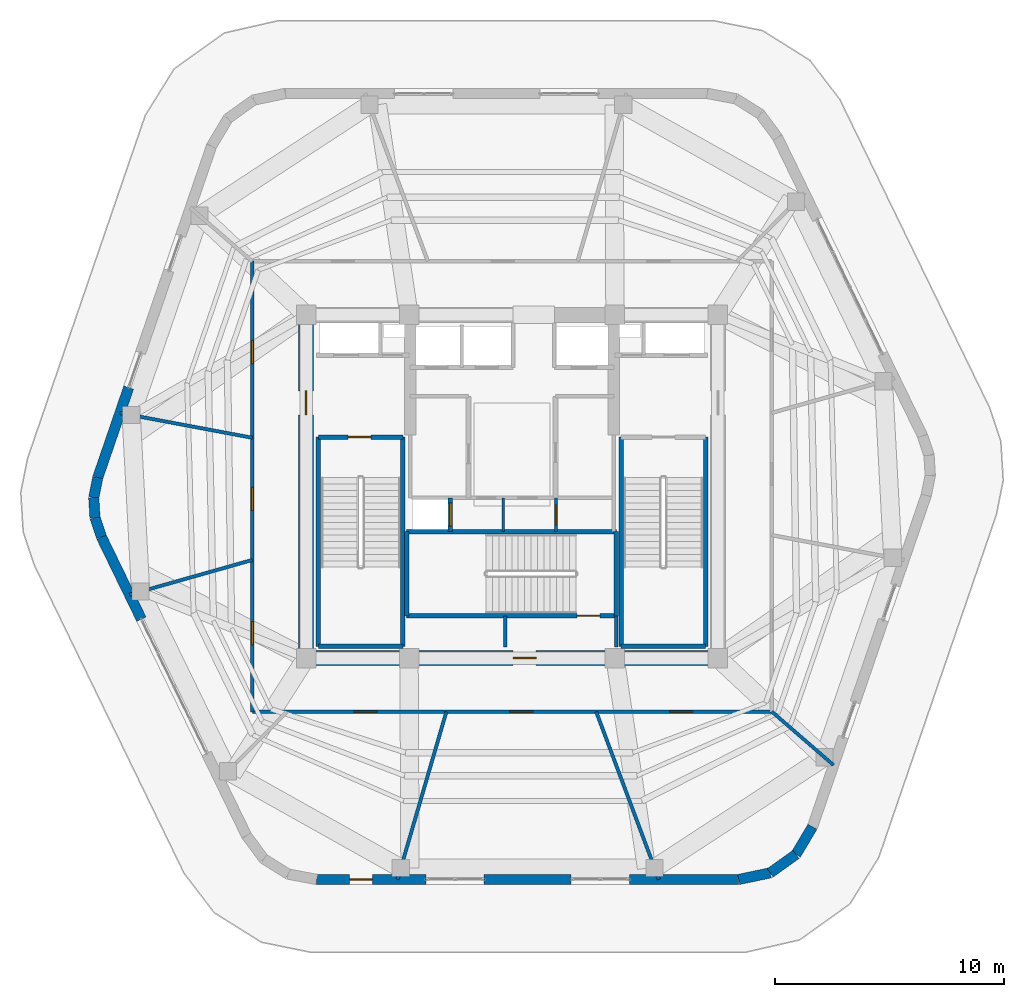
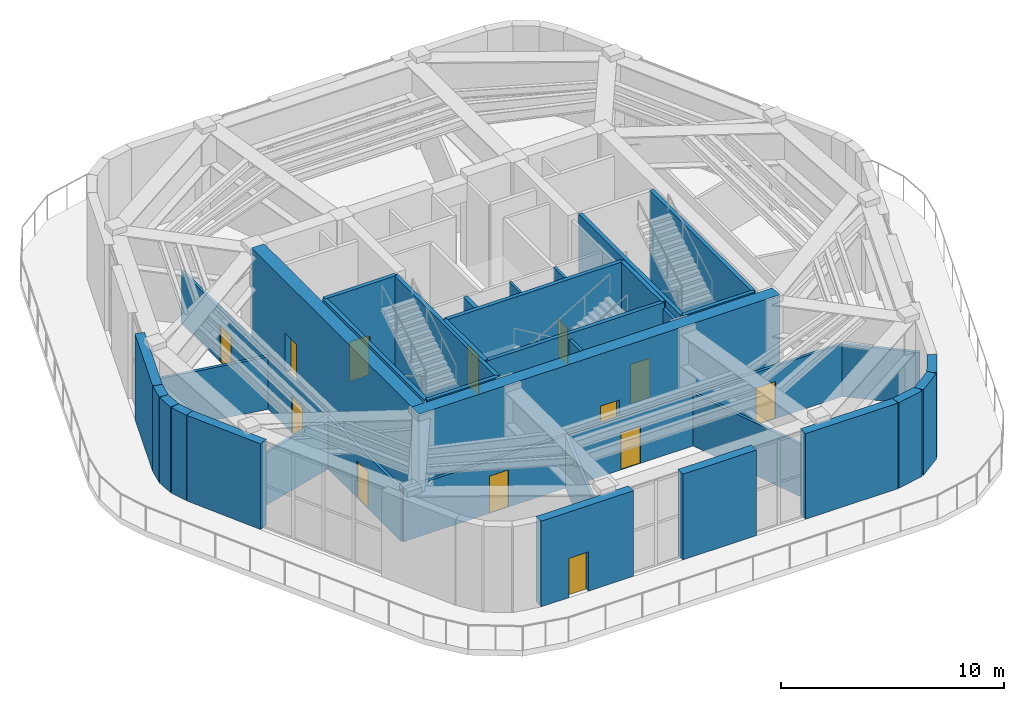
# One storey, part 17 of 24: 36 walls, 13 doors, 13 openings.
"""IFC4 building model written with IfcOpenShell, lengths in metres."""

import ifcopenshell
import ifcopenshell.guid

model = None  # the IFC model being written
_history = None  # IfcOwnerHistory: only IFC2X3 demands one
_inside = {}  # id of a spatial element -> (the spatial element, [elements in it])
_under = {}  # id of a project, library or spatial element -> (it, [spatial elements below it])
_declared = {}  # id of a project -> (the project, [libraries it declares])
_typed = {}  # id of a type object -> (the type object, [elements of that type])
_made_of = {}  # id of a material, layer set ... -> (it, [elements and type objects made of it])


def new_model(schema):
    """Start an empty IFC model of exactly this schema.

    Asked for "IFC4X3", IfcOpenShell would pick the latest addendum, in which some entities
    have other attributes; the version numbers below select the first issue.
    IFC2X3 requires an IfcOwnerHistory on every rooted entity: one is made here for all.
    """
    global model, _history
    if schema == "IFC4X3":
        model = ifcopenshell.file(schema_version=(4, 3, 0, 0))
    else:
        model = ifcopenshell.file(schema=schema)
    _inside.clear()
    _under.clear()
    _declared.clear()
    _typed.clear()
    _made_of.clear()
    _history = None
    if model.schema == "IFC2X3":
        org = make("IfcOrganization", Name="unknown")
        user = make(
            "IfcPersonAndOrganization",
            ThePerson=make("IfcPerson", FamilyName="unknown"),
            TheOrganization=org,
        )
        app = make(
            "IfcApplication",
            ApplicationDeveloper=org,
            Version="unknown",
            ApplicationFullName="unknown",
            ApplicationIdentifier="unknown",
        )
        _history = make(
            "IfcOwnerHistory",
            OwningUser=user,
            OwningApplication=app,
            ChangeAction="ADDED",
            CreationDate=0,
        )
    return model


def make(cls, **values):
    """One entity of the class cls with the attributes given. An attribute that is None is left unset."""
    return model.create_entity(
        cls, **{name: value for name, value in values.items() if value is not None}
    )


def rooted(cls, **values):
    """An entity with a GlobalId (a new one), such as an element, a storey or a relation."""
    return make(cls, GlobalId=ifcopenshell.guid.new(), OwnerHistory=_history, **values)


def si_unit(unit_type, name, prefix=None):
    """IfcSIUnit, for example si_unit("LENGTHUNIT", "METRE", prefix="MILLI")."""
    return make("IfcSIUnit", UnitType=unit_type, Prefix=prefix, Name=name)


def assignment(units):
    """IfcUnitAssignment: the units of a project."""
    return None if units is None else make("IfcUnitAssignment", Units=units)


def point(xyz):
    """IfcCartesianPoint."""
    return None if xyz is None else make("IfcCartesianPoint", Coordinates=xyz)


def direction(xyz):
    """IfcDirection."""
    return None if xyz is None else make("IfcDirection", DirectionRatios=xyz)


def frame(location, z_axis=None, x_axis=None):
    """IfcAxis2Placement3D, a coordinate frame: its origin and axes. An axis left out is left unset."""
    return make(
        "IfcAxis2Placement3D",
        Location=point(location),
        Axis=direction(z_axis),
        RefDirection=direction(x_axis),
    )


def frame_2d(location, x_axis=None):
    """IfcAxis2Placement2D, a coordinate frame in the plane: its origin and x axis."""
    return make(
        "IfcAxis2Placement2D", Location=point(location), RefDirection=direction(x_axis)
    )


def origin():
    """The frame at (0, 0, 0) with its axes left unset."""
    return frame((0.0, 0.0, 0.0))


def place(relative_to, where):
    """IfcLocalPlacement: puts the frame where relative to a parent placement (None: the world)."""
    return make(
        "IfcLocalPlacement", PlacementRelTo=relative_to, RelativePlacement=where
    )


def context(
    kind, dimensions, precision=None, world=None, true_north=None, identifier=None
):
    """IfcGeometricRepresentationContext, for example the 3D "Model" context."""
    return make(
        "IfcGeometricRepresentationContext",
        ContextIdentifier=identifier,
        ContextType=kind,
        CoordinateSpaceDimension=dimensions,
        Precision=precision,
        WorldCoordinateSystem=world,
        TrueNorth=true_north,
    )


def subcontext(parent, identifier, kind, view, scale=None):
    """IfcGeometricRepresentationSubContext, for example "Body" below "Model"."""
    return make(
        "IfcGeometricRepresentationSubContext",
        ContextIdentifier=identifier,
        ContextType=kind,
        ParentContext=parent,
        TargetScale=scale,
        TargetView=view,
    )


def project(units=None, contexts=None):
    """IfcProject with its units and contexts."""
    return rooted(
        "IfcProject",
        Name="project",
        RepresentationContexts=contexts,
        UnitsInContext=assignment(units),
    )


def spatial(cls, under=None, at=None, **own):
    """A site, building, storey or space (cls), placed at a placement, below another one or the project."""
    s = rooted(cls, ObjectPlacement=at, **own)
    if under is not None:
        _under.setdefault(under.id(), (under, []))[1].append(s)
    return s


def profile(cls, at=None, kind="AREA", **sizes):
    """A parametric profile (cls). Its sizes go by their IFC names, for example OverallWidth=200.0."""
    return make(cls, ProfileType=kind, Position=at, **sizes)


def rectangle(**sizes):
    """IfcRectangleProfileDef."""
    return profile("IfcRectangleProfileDef", **sizes)


def extrude(swept, where, along, depth):
    """IfcExtrudedAreaSolid: the profile swept, set in the frame where, extruded along a direction by depth."""
    return make(
        "IfcExtrudedAreaSolid",
        SweptArea=swept,
        Position=where,
        ExtrudedDirection=direction(along),
        Depth=depth,
    )


def shape(context_of_items, identifier, shape_type, items):
    """IfcShapeRepresentation: the items that make up one representation, for example the "Body"."""
    return make(
        "IfcShapeRepresentation",
        ContextOfItems=context_of_items,
        RepresentationIdentifier=identifier,
        RepresentationType=shape_type,
        Items=items,
    )


def material(Name=None, Category=None):
    """IfcMaterial."""
    return make("IfcMaterial", Name=Name, Category=Category)


def layer(
    of_material, thickness, ventilated=None, Name=None, Category=None, Priority=None
):
    """IfcMaterialLayer: one layer of a wall or slab, of a material (None: an air gap)."""
    return make(
        "IfcMaterialLayer",
        Material=of_material,
        LayerThickness=thickness,
        IsVentilated=ventilated,
        Name=Name,
        Category=Category,
        Priority=Priority,
    )


def layer_set(layers, Name=None):
    """IfcMaterialLayerSet."""
    return make("IfcMaterialLayerSet", MaterialLayers=layers, LayerSetName=Name)


def made_of(thing, what):
    """Note that an element or type object is made of a material, layer set ...; save() writes the relation."""
    if what is not None:
        _made_of.setdefault(what.id(), (what, []))[1].append(thing)
    return thing


def type_object(cls, material=None, **own):
    """A type object (cls), such as IfcWallType, which elements share."""
    return made_of(rooted(cls, **own), material)


def element(
    cls,
    number,
    at=None,
    inside=None,
    cuts=None,
    type_object=None,
    material=None,
    context=None,
    identifier="Body",
    shape_type=None,
    held_by="IfcProductDefinitionShape",
    body=None,
    shapes=None,
    **own,
):
    """One element of the class cls, such as IfcWall. Its Tag is "e" and its number.

    at: its placement. inside: the storey or other place that contains it. cuts: it is an
    opening in that element (IfcRelVoidsElement). A single representation is given by context,
    identifier, shape_type and body (its items); several are given by shapes. held_by: the class
    of the entity that holds the representations. save() writes the other relations.
    """
    e = rooted(cls, Tag="e%d" % number, ObjectPlacement=at, **own)
    if body is not None:
        shapes = [shape(context, identifier, shape_type, body)]
    if shapes is not None:
        e.Representation = make(held_by, Representations=shapes)
    if inside is not None:
        _inside.setdefault(inside.id(), (inside, []))[1].append(e)
    if cuts is not None:
        rooted(
            "IfcRelVoidsElement", RelatingBuildingElement=cuts, RelatedOpeningElement=e
        )
    if type_object is not None:
        _typed.setdefault(type_object.id(), (type_object, []))[1].append(e)
    return made_of(e, material)


def fill(opening, filler):
    """IfcRelFillsElement: the door or window that sits in an opening."""
    return rooted(
        "IfcRelFillsElement",
        RelatingOpeningElement=opening,
        RelatedBuildingElement=filler,
    )


def aggregate(whole, parts):
    """IfcRelAggregates: a whole, such as a stair, and the parts it consists of."""
    return rooted("IfcRelAggregates", RelatingObject=whole, RelatedObjects=parts)


def save(model, path):
    """Write the relations noted so far, then the file.

    IfcRelAggregates (storeys below a building ...), IfcRelContainedInSpatialStructure (elements
    in a storey), IfcRelDefinesByType, IfcRelAssociatesMaterial and IfcRelDeclares: one each for
    every whole, place, type object, material and project.
    """
    for whole, parts in _under.values():
        aggregate(whole, parts)
    for where, things in _inside.values():
        rooted(
            "IfcRelContainedInSpatialStructure",
            RelatedElements=things,
            RelatingStructure=where,
        )
    for kind, things in _typed.values():
        rooted("IfcRelDefinesByType", RelatedObjects=things, RelatingType=kind)
    for what, things in _made_of.values():
        rooted("IfcRelAssociatesMaterial", RelatedObjects=things, RelatingMaterial=what)
    for by, libraries in _declared.values():
        rooted("IfcRelDeclares", RelatingContext=by, RelatedDefinitions=libraries)
    model.write(path)


model = new_model("IFC4")

# Units and contexts
model_context = context("Model", 3, precision=1e-05, world=origin(), true_north=direction((0.0, 1.0)))
body_context = subcontext(model_context, "Body", "Model", "MODEL_VIEW")
ifc_project = project(units=[si_unit("LENGTHUNIT", "METRE"), si_unit("AREAUNIT", "SQUARE_METRE"), si_unit("VOLUMEUNIT", "CUBIC_METRE"), si_unit("PLANEANGLEUNIT", "RADIAN"), si_unit("MASSUNIT", "GRAM", prefix="KILO")], contexts=[model_context])

# Site, building, storey
site_placement = place(None, origin())
site = spatial("IfcSite", under=ifc_project, at=site_placement, CompositionType="ELEMENT")
building_placement = place(site_placement, origin())
building = spatial("IfcBuilding", under=site, at=building_placement, Name="Kilnhurst Terrace Hotel", CompositionType="ELEMENT")
storey_placement = place(building_placement, frame((0.0, 0.0, 305.39990234375)))
storey = spatial("IfcBuildingStorey", under=building, at=storey_placement, Name="L76", CompositionType="ELEMENT", Elevation=305.39990234375)

# Walls
ifc_material_1 = material(Name="Precast concrete C40/50", Category="concrete")
ifc_layer_1 = layer(ifc_material_1, 0.449951171875, Name="Precast concrete C40/50")
ifc_layer_set_1 = layer_set([ifc_layer_1], Name="Precast concrete C40/50")
wall_type_1 = type_object("IfcWallType", Name="WL-BRK-450", PredefinedType="SOLIDWALL", material=ifc_layer_set_1)
wall_1_placement = place(storey_placement, frame((9.90771484375, -17.175048828125, 0.0), z_axis=(0.0, 0.0, 1.0), x_axis=(0.978709642506, 0.205249691027, 0.0)))
element("IfcWall", 1, at=wall_1_placement, inside=storey, type_object=wall_type_1, Name="L76 Rounded Corner Brick Wall C2.1", PredefinedType="SOLIDWALL", context=body_context, shape_type="SweptSolid", body=[
    extrude(rectangle(XDim=1.4072265625, YDim=0.449951171875, at=frame_2d((0.70361328125, 0.0))), origin(), (0.0, 0.0, 1.0), 4.68017578125),
])
wall_2_placement = place(storey_placement, frame((11.284912109375, -16.88623046875, 0.0), z_axis=(0.0, 0.0, 1.0), x_axis=(0.813840765051, 0.581087953017, 0.0)))
element("IfcWall", 2, at=wall_2_placement, inside=storey, type_object=wall_type_1, Name="L76 Rounded Corner Brick Wall C2.2", PredefinedType="SOLIDWALL", context=body_context, shape_type="SweptSolid", body=[
    extrude(rectangle(XDim=1.383544921875, YDim=0.449951171875, at=frame_2d((0.69189453125, 0.0))), origin(), (0.0, 0.0, 1.0), 4.68017578125),
])
wall_3_placement = place(storey_placement, frame((12.410888671875, -16.082275390625, 0.0), z_axis=(0.0, 0.0, 1.0), x_axis=(0.511788829014, 0.859111281789, 0.0)))
element("IfcWall", 3, at=wall_3_placement, inside=storey, type_object=wall_type_1, Name="L76 Rounded Corner Brick Wall C2.3", PredefinedType="SOLIDWALL", context=body_context, shape_type="SweptSolid", body=[
    extrude(rectangle(XDim=1.4072265625, YDim=0.449951171875, at=frame_2d((0.70361328125, 0.0))), origin(), (0.0, 0.0, 1.0), 4.68017578125),
])
wall_4_placement = place(storey_placement, frame((-18.100341796875, 0.38916015625, 0.0), z_axis=(0.0, 0.0, 1.0), x_axis=(-0.198587865476, -0.980083088154, 0.0)))
element("IfcWall", 4, at=wall_4_placement, inside=storey, type_object=wall_type_1, Name="L76 Rounded Corner Brick Wall C6.1", PredefinedType="SOLIDWALL", context=body_context, shape_type="SweptSolid", body=[
    extrude(rectangle(XDim=0.892578125, YDim=0.449951171875, at=frame_2d((0.4462890625, 0.0))), origin(), (0.0, 0.0, 1.0), 4.68017578125),
])
wall_5_placement = place(storey_placement, frame((-18.277587890625, -0.485595703125, 0.0), z_axis=(0.0, 0.0, 1.0), x_axis=(0.060923410031, -0.998142443798, 0.0)))
element("IfcWall", 5, at=wall_5_placement, inside=storey, type_object=wall_type_1, Name="L76 Rounded Corner Brick Wall C6.2", PredefinedType="SOLIDWALL", context=body_context, shape_type="SweptSolid", body=[
    extrude(rectangle(XDim=0.877685546875, YDim=0.449951171875, at=frame_2d((0.43896484375, 0.0))), origin(), (0.0, 0.0, 1.0), 4.68017578125),
])
wall_6_placement = place(storey_placement, frame((-18.22412109375, -1.361572265625, 0.0), z_axis=(0.0, 0.0, 1.0), x_axis=(0.316227766017, -0.948683298051, 0.0)))
element("IfcWall", 6, at=wall_6_placement, inside=storey, type_object=wall_type_1, Name="L76 Rounded Corner Brick Wall C6.3", PredefinedType="SOLIDWALL", context=body_context, shape_type="SweptSolid", body=[
    extrude(rectangle(XDim=0.892578125, YDim=0.449951171875, at=frame_2d((0.4462890625, 0.0))), origin(), (0.0, 0.0, 1.0), 4.68017578125),
])

# Wall, opening, door
wall_7_placement = place(storey_placement, frame((-8.535888671875, -17.175048828125, 0.0), z_axis=(0.0, 0.0, 1.0), x_axis=(1.0, 0.0, 0.0)))
wall_7 = element("IfcWall", 7, at=wall_7_placement, inside=storey, type_object=wall_type_1, Name="L76 Face 1 Brick Pier 1", PredefinedType="SOLIDWALL", context=body_context, shape_type="SweptSolid", body=[
    extrude(rectangle(XDim=4.777099609375, YDim=0.449951171875, at=frame_2d((2.388671875, 0.0))), origin(), (0.0, 0.0, 1.0), 4.68017578125),
])
opening_1_placement = place(wall_7_placement, frame((1.43896484375, 0.0, 0.0)))
opening_1 = element("IfcOpeningElement", 8, at=opening_1_placement, cuts=wall_7, Name="Opening BD-1000", PredefinedType="OPENING", context=body_context, shape_type="SweptSolid", body=[
    extrude(rectangle(XDim=1.0, YDim=2.14990234375, at=frame_2d((0.5, 1.074951171875))), frame((0.0, 0.23486328125, 0.0), z_axis=(0.0, -1.0, 0.0), x_axis=(1.0, 0.0, 0.0)), (0.0, 0.0, 1.0), 0.469970703125),
])
ifc_material_2 = material(Name="Thermally Broken Bronze Aluminium Alloy 6063-T6 and Laminated Glass", Category="aluminium")
door_type_1 = type_object("IfcDoorType", Name="DR-EXT-BAL-1000", OperationType="NOTDEFINED", PredefinedType="DOOR", material=ifc_material_2)
door_1_placement = place(opening_1_placement, origin())
door_1 = element("IfcDoor", 9, at=door_1_placement, inside=storey, type_object=door_type_1, Name="L76 Terrace Access Door OBS-TERRACE", OperationType="SINGLE_SWING_LEFT", OverallHeight=2.14990234375, OverallWidth=1.0, PredefinedType="DOOR", context=body_context, shape_type="SweptSolid", body=[
    extrude(rectangle(XDim=1.0, YDim=2.14990234375, at=frame_2d((0.5, 1.074951171875))), frame((0.0, 0.02490234375, 0.0), z_axis=(0.0, -1.0, 0.0), x_axis=(1.0, 0.0, 0.0)), (0.0, 0.0, 1.0), 0.050048828125),
])
fill(opening_1, door_1)

# Walls
wall_8_placement = place(storey_placement, frame((-1.212890625, -17.175048828125, 0.0), z_axis=(0.0, 0.0, 1.0), x_axis=(1.0, 0.0, 0.0)))
element("IfcWall", 10, at=wall_8_placement, inside=storey, type_object=wall_type_1, Name="L76 Face 1 Brick Pier 2", PredefinedType="SOLIDWALL", context=body_context, shape_type="SweptSolid", body=[
    extrude(rectangle(XDim=3.800048828125, YDim=0.449951171875, at=frame_2d((1.89990234375, 0.0))), origin(), (0.0, 0.0, 1.0), 4.68017578125),
])
wall_9_placement = place(storey_placement, frame((5.13427734375, -17.175048828125, 0.0), z_axis=(0.0, 0.0, 1.0), x_axis=(1.0, 0.0, 0.0)))
element("IfcWall", 11, at=wall_9_placement, inside=storey, type_object=wall_type_1, Name="L76 Face 1 End Brick Pier", PredefinedType="SOLIDWALL", context=body_context, shape_type="SweptSolid", body=[
    extrude(rectangle(XDim=4.7734375, YDim=0.449951171875, at=frame_2d((2.38671875, 0.0))), origin(), (0.0, 0.0, 1.0), 4.68017578125),
])
wall_10_placement = place(storey_placement, frame((-16.751708984375, 4.320068359375, 0.0), z_axis=(0.0, 0.0, 1.0), x_axis=(-0.324516563827, -0.945880013428, 0.0)))
element("IfcWall", 12, at=wall_10_placement, inside=storey, type_object=wall_type_1, Name="L76 Face 5 End Brick Pier", PredefinedType="SOLIDWALL", context=body_context, shape_type="SweptSolid", body=[
    extrude(rectangle(XDim=4.15576171875, YDim=0.449951171875, at=frame_2d((2.077880859375, 0.0))), origin(), (0.0, 0.0, 1.0), 4.68017578125),
])
wall_11_placement = place(storey_placement, frame((-17.94189453125, -2.208251953125, 0.0), z_axis=(0.0, 0.0, 1.0), x_axis=(0.437062225544, -0.899431270861, 0.0)))
element("IfcWall", 13, at=wall_11_placement, inside=storey, type_object=wall_type_1, Name="L76 Face 6 Brick Pier 1", PredefinedType="SOLIDWALL", context=body_context, shape_type="SweptSolid", body=[
    extrude(rectangle(XDim=3.993896484375, YDim=0.449951171875, at=frame_2d((1.9970703125, 0.0))), origin(), (0.0, 0.0, 1.0), 4.68017578125),
])

# Wall, openings, doors
ifc_material_3 = material(Name="Acoustic Double-Gypsum Corridor Partition Assembly")
ifc_layer_2 = layer(ifc_material_3, 0.14990234375, Name="Acoustic Double-Gypsum Corridor Partition Assembly")
ifc_layer_set_2 = layer_set([ifc_layer_2], Name="Acoustic Double-Gypsum Corridor Partition Assembly")
wall_type_2 = type_object("IfcWallType", Name="WL-COR-150", PredefinedType="PARTITIONING", material=ifc_layer_set_2)
wall_12_placement = place(storey_placement, frame((-11.35009765625, -9.85009765625, 0.0), z_axis=(0.0, 0.0, 1.0), x_axis=(0.0, 1.0, 0.0)))
wall_12 = element("IfcWall", 14, at=wall_12_placement, inside=storey, type_object=wall_type_2, Name="L76 Interior Wall WL-L76-COR-01", PredefinedType="PARTITIONING", context=body_context, shape_type="SweptSolid", body=[
    extrude(rectangle(XDim=19.7001953125, YDim=0.14990234375, at=frame_2d((9.85009765625, 0.0))), origin(), (0.0, 0.0, 1.0), 2.8701171875),
])
opening_2_placement = place(wall_12_placement, frame((15.218994140625, 0.0, 0.0)))
opening_2 = element("IfcOpeningElement", 15, at=opening_2_placement, cuts=wall_12, Name="Opening D-10A", PredefinedType="OPENING", context=body_context, shape_type="SweptSolid", body=[
    extrude(rectangle(XDim=1.0, YDim=2.030029296875, at=frame_2d((0.5, 1.01513671875))), frame((0.0, 0.0849609375, 0.0), z_axis=(0.0, -1.0, 0.0), x_axis=(1.0, 0.0, 0.0)), (0.0, 0.0, 1.0), 0.169921875),
])
opening_3_placement = place(wall_12_placement, frame((8.804931640625, 0.0, 0.0)))
opening_3 = element("IfcOpeningElement", 16, at=opening_3_placement, cuts=wall_12, Name="Opening D-10A", PredefinedType="OPENING", context=body_context, shape_type="SweptSolid", body=[
    extrude(rectangle(XDim=1.0, YDim=2.030029296875, at=frame_2d((0.5, 1.01513671875))), frame((0.0, 0.0849609375, 0.0), z_axis=(0.0, -1.0, 0.0), x_axis=(1.0, 0.0, 0.0)), (0.0, 0.0, 1.0), 0.169921875),
])
opening_4_placement = place(wall_12_placement, frame((2.93798828125, 0.0, 0.0)))
opening_4 = element("IfcOpeningElement", 17, at=opening_4_placement, cuts=wall_12, Name="Opening D-10A", PredefinedType="OPENING", context=body_context, shape_type="SweptSolid", body=[
    extrude(rectangle(XDim=1.0, YDim=2.030029296875, at=frame_2d((0.5, 1.01513671875))), frame((0.0, 0.0849609375, 0.0), z_axis=(0.0, -1.0, 0.0), x_axis=(1.0, 0.0, 0.0)), (0.0, 0.0, 1.0), 0.169921875),
])
ifc_material_4 = material(Name="Solid-Core American White Oak Interior Door")
door_type_2 = type_object("IfcDoorType", Name="DR-INT-1000", OperationType="NOTDEFINED", PredefinedType="DOOR", material=ifc_material_4)
door_2_placement = place(opening_2_placement, origin())
door_2 = element("IfcDoor", 18, at=door_2_placement, inside=storey, type_object=door_type_2, Name="L76 North West Horizon Exhibition Hall Center Wing Door", OperationType="SINGLE_SWING_LEFT", OverallHeight=2.030029296875, OverallWidth=1.0, PredefinedType="DOOR", context=body_context, shape_type="SweptSolid", body=[
    extrude(rectangle(XDim=1.0, YDim=2.030029296875, at=frame_2d((0.5, 1.01513671875))), frame((0.0, 0.02490234375, 0.0), z_axis=(0.0, -1.0, 0.0), x_axis=(1.0, 0.0, 0.0)), (0.0, 0.0, 1.0), 0.050048828125),
])
fill(opening_2, door_2)
door_3_placement = place(opening_3_placement, origin())
door_3 = element("IfcDoor", 19, at=door_3_placement, inside=storey, type_object=door_type_2, Name="L76 North West Horizon Exhibition Hall East Wing Door", OperationType="SINGLE_SWING_RIGHT", OverallHeight=2.030029296875, OverallWidth=1.0, PredefinedType="DOOR", context=body_context, shape_type="SweptSolid", body=[
    extrude(rectangle(XDim=1.0, YDim=2.030029296875, at=frame_2d((0.5, 1.01513671875))), frame((0.0, 0.02490234375, 0.0), z_axis=(0.0, -1.0, 0.0), x_axis=(1.0, 0.0, 0.0)), (0.0, 0.0, 1.0), 0.050048828125),
])
fill(opening_3, door_3)
door_4_placement = place(opening_4_placement, origin())
door_4 = element("IfcDoor", 20, at=door_4_placement, inside=storey, type_object=door_type_2, Name="L76 South West Sunset Cafe and Bar West Wing Door", OperationType="SINGLE_SWING_LEFT", OverallHeight=2.030029296875, OverallWidth=1.0, PredefinedType="DOOR", context=body_context, shape_type="SweptSolid", body=[
    extrude(rectangle(XDim=1.0, YDim=2.030029296875, at=frame_2d((0.5, 1.01513671875))), frame((0.0, 0.02490234375, 0.0), z_axis=(0.0, -1.0, 0.0), x_axis=(1.0, 0.0, 0.0)), (0.0, 0.0, 1.0), 0.050048828125),
])
fill(opening_4, door_4)

wall_13_placement = place(storey_placement, frame((11.35009765625, -9.85009765625, 0.0), z_axis=(0.0, 0.0, 1.0), x_axis=(-1.0, 0.0, 0.0)))
wall_13 = element("IfcWall", 21, at=wall_13_placement, inside=storey, type_object=wall_type_2, Name="L76 Interior Wall WL-L76-COR-04", PredefinedType="PARTITIONING", context=body_context, shape_type="SweptSolid", body=[
    extrude(rectangle(XDim=22.7001953125, YDim=0.14990234375, at=frame_2d((11.35009765625, 0.0))), origin(), (0.0, 0.0, 1.0), 2.8701171875),
])
opening_5_placement = place(wall_13_placement, frame((17.2490234375, 0.0, 0.0)))
opening_5 = element("IfcOpeningElement", 22, at=opening_5_placement, cuts=wall_13, Name="Opening D-10A", PredefinedType="OPENING", context=body_context, shape_type="SweptSolid", body=[
    extrude(rectangle(XDim=1.0, YDim=2.030029296875, at=frame_2d((0.5, 1.01513671875))), frame((0.0, 0.0849609375, 0.0), z_axis=(0.0, -1.0, 0.0), x_axis=(1.0, 0.0, 0.0)), (0.0, 0.0, 1.0), 0.169921875),
])
opening_6_placement = place(wall_13_placement, frame((10.44091796875, 0.0, 0.0)))
opening_6 = element("IfcOpeningElement", 23, at=opening_6_placement, cuts=wall_13, Name="Opening D-10A", PredefinedType="OPENING", context=body_context, shape_type="SweptSolid", body=[
    extrude(rectangle(XDim=1.0, YDim=2.030029296875, at=frame_2d((0.5, 1.01513671875))), frame((0.0, 0.0849609375, 0.0), z_axis=(0.0, -1.0, 0.0), x_axis=(1.0, 0.0, 0.0)), (0.0, 0.0, 1.0), 0.169921875),
])
opening_7_placement = place(wall_13_placement, frame((3.4541015625, 0.0, 0.0)))
opening_7 = element("IfcOpeningElement", 24, at=opening_7_placement, cuts=wall_13, Name="Opening D-10A", PredefinedType="OPENING", context=body_context, shape_type="SweptSolid", body=[
    extrude(rectangle(XDim=1.0, YDim=2.030029296875, at=frame_2d((0.5, 1.01513671875))), frame((0.0, 0.0849609375, 0.0), z_axis=(0.0, -1.0, 0.0), x_axis=(1.0, 0.0, 0.0)), (0.0, 0.0, 1.0), 0.169921875),
])
door_5_placement = place(opening_5_placement, origin())
door_5 = element("IfcDoor", 25, at=door_5_placement, inside=storey, type_object=door_type_2, Name="L76 South West Sunset Cafe and Bar Center Wing Door", OperationType="SINGLE_SWING_RIGHT", OverallHeight=2.030029296875, OverallWidth=1.0, PredefinedType="DOOR", context=body_context, shape_type="SweptSolid", body=[
    extrude(rectangle(XDim=1.0, YDim=2.030029296875, at=frame_2d((0.5, 1.01513671875))), frame((0.0, 0.02490234375, 0.0), z_axis=(0.0, -1.0, 0.0), x_axis=(1.0, 0.0, 0.0)), (0.0, 0.0, 1.0), 0.050048828125),
])
fill(opening_5, door_5)
door_6_placement = place(opening_6_placement, origin())
door_6 = element("IfcDoor", 26, at=door_6_placement, inside=storey, type_object=door_type_2, Name="L76 South West Sunset Cafe and Bar East Wing Door", OperationType="SINGLE_SWING_LEFT", OverallHeight=2.030029296875, OverallWidth=1.0, PredefinedType="DOOR", context=body_context, shape_type="SweptSolid", body=[
    extrude(rectangle(XDim=1.0, YDim=2.030029296875, at=frame_2d((0.5, 1.01513671875))), frame((0.0, 0.02490234375, 0.0), z_axis=(0.0, -1.0, 0.0), x_axis=(1.0, 0.0, 0.0)), (0.0, 0.0, 1.0), 0.050048828125),
])
fill(opening_6, door_6)
door_7_placement = place(opening_7_placement, origin())
door_7 = element("IfcDoor", 27, at=door_7_placement, inside=storey, type_object=door_type_2, Name="L76 Lookout Cafe Servery Kitchen Door", OperationType="SINGLE_SWING_RIGHT", OverallHeight=2.030029296875, OverallWidth=1.0, PredefinedType="DOOR", context=body_context, shape_type="SweptSolid", body=[
    extrude(rectangle(XDim=1.0, YDim=2.030029296875, at=frame_2d((0.5, 1.01513671875))), frame((0.0, 0.02490234375, 0.0), z_axis=(0.0, -1.0, 0.0), x_axis=(1.0, 0.0, 0.0)), (0.0, 0.0, 1.0), 0.050048828125),
])
fill(opening_7, door_7)

# Wall, opening, door
ifc_material_5 = material(Name="Concrete C60/75", Category="concrete")
ifc_layer_3 = layer(ifc_material_5, 0.64990234375, Name="Concrete C60/75")
ifc_layer_set_3 = layer_set([ifc_layer_3], Name="Concrete C60/75")
wall_type_3 = type_object("IfcWallType", Name="WL-CORE-650", PredefinedType="SHEAR", material=ifc_layer_set_3)
wall_14_placement = place(storey_placement, frame((-9.324951171875, -7.5, 0.0), z_axis=(0.0, 0.0, 1.0), x_axis=(1.0, 0.0, 0.0)))
wall_14 = element("IfcWall", 28, at=wall_14_placement, inside=storey, type_object=wall_type_3, Name="L76 Core South Shear Wall", PredefinedType="SHEAR", context=body_context, shape_type="SweptSolid", body=[
    extrude(rectangle(XDim=18.64990234375, YDim=0.64990234375, at=frame_2d((9.324951171875, 0.0))), origin(), (0.0, 0.0, 1.0), 5.0),
])
opening_8_placement = place(wall_14_placement, frame((9.375, 0.0, 0.0)))
opening_8 = element("IfcOpeningElement", 29, at=opening_8_placement, cuts=wall_14, Name="Opening D-90B", PredefinedType="OPENING", context=body_context, shape_type="SweptSolid", body=[
    extrude(rectangle(XDim=1.0, YDim=2.14990234375, at=frame_2d((0.5, 1.074951171875))), frame((0.0, 0.3349609375, 0.0), z_axis=(0.0, -1.0, 0.0), x_axis=(1.0, 0.0, 0.0)), (0.0, 0.0, 1.0), 0.669921875),
])
ifc_material_6 = material(Name="Painted Hollow Metal Steel ASTM A36 Fire Door", Category="steel")
door_type_3 = type_object("IfcDoorType", Name="DR-FD90-1000", OperationType="NOTDEFINED", PredefinedType="DOOR", material=ifc_material_6)
door_8_placement = place(opening_8_placement, origin())
door_8 = element("IfcDoor", 30, at=door_8_placement, inside=storey, type_object=door_type_3, Name="L76 Stair ST-3 Corridor Door", OperationType="SINGLE_SWING_RIGHT", OverallHeight=2.14990234375, OverallWidth=1.0, PredefinedType="DOOR", context=body_context, shape_type="SweptSolid", body=[
    extrude(rectangle(XDim=1.0, YDim=2.14990234375, at=frame_2d((0.5, 1.074951171875))), frame((0.0, 0.02490234375, 0.0), z_axis=(0.0, -1.0, 0.0), x_axis=(1.0, 0.0, 0.0)), (0.0, 0.0, 1.0), 0.050048828125),
])
fill(opening_8, door_8)

wall_15_placement = place(storey_placement, frame((-9.0, -7.175048828125, 0.0), z_axis=(0.0, 0.0, 1.0), x_axis=(0.0, 1.0, 0.0)))
wall_15 = element("IfcWall", 31, at=wall_15_placement, inside=storey, type_object=wall_type_3, Name="L76 Core West Shear Wall", PredefinedType="SHEAR", context=body_context, shape_type="SweptSolid", body=[
    extrude(rectangle(XDim=14.35009765625, YDim=0.64990234375, at=frame_2d((7.175048828125, 0.0))), origin(), (0.0, 0.0, 1.0), 5.0),
])
opening_9_placement = place(wall_15_placement, frame((10.300048828125, 0.0, 0.0)))
opening_9 = element("IfcOpeningElement", 32, at=opening_9_placement, cuts=wall_15, Name="Opening D-90A", PredefinedType="OPENING", context=body_context, shape_type="SweptSolid", body=[
    extrude(rectangle(XDim=1.050048828125, YDim=2.14990234375, at=frame_2d((0.52490234375, 1.074951171875))), frame((0.0, 0.3349609375, 0.0), z_axis=(0.0, -1.0, 0.0), x_axis=(1.0, 0.0, 0.0)), (0.0, 0.0, 1.0), 0.669921875),
])
door_type_4 = type_object("IfcDoorType", Name="DR-FD90-1050", OperationType="NOTDEFINED", PredefinedType="DOOR", material=ifc_material_6)
door_9_placement = place(opening_9_placement, origin())
door_9 = element("IfcDoor", 33, at=door_9_placement, inside=storey, type_object=door_type_4, Name="L76 West Firefighting Lobby Door", OperationType="SINGLE_SWING_RIGHT", OverallHeight=2.14990234375, OverallWidth=1.050048828125, PredefinedType="DOOR", context=body_context, shape_type="SweptSolid", body=[
    extrude(rectangle(XDim=1.050048828125, YDim=2.14990234375, at=frame_2d((0.52490234375, 1.074951171875))), frame((0.0, 0.02490234375, 0.0), z_axis=(0.0, -1.0, 0.0), x_axis=(1.0, 0.0, 0.0)), (0.0, 0.0, 1.0), 0.050048828125),
])
fill(opening_9, door_9)

# Wall
ifc_material_7 = material(Name="120 mm Moisture-Resistant Tile-Backed Bathroom Partition")
ifc_layer_4 = layer(ifc_material_7, 0.1201171875, Name="120 mm Moisture-Resistant Tile-Backed Bathroom Partition")
ifc_layer_set_4 = layer_set([ifc_layer_4], Name="120 mm Moisture-Resistant Tile-Backed Bathroom Partition")
wall_type_4 = type_object("IfcWallType", Name="WL-PART-120", PredefinedType="PARTITIONING", material=ifc_layer_set_4)
wall_16_placement = place(storey_placement, frame((-0.3798828125, -1.971923828125, 0.0), z_axis=(0.0, 0.0, 1.0), x_axis=(0.0, 1.0, 0.0)))
element("IfcWall", 34, at=wall_16_placement, inside=storey, type_object=wall_type_4, Name="L76 Interior Wall WL-L76-BOH-C1", PredefinedType="PARTITIONING", context=body_context, shape_type="SweptSolid", body=[
    extrude(rectangle(XDim=1.471923828125, YDim=0.1201171875, at=frame_2d((0.73583984375, 0.0))), origin(), (0.0, 0.0, 1.0), 4.68017578125),
])

# Wall, opening, door
wall_17_placement = place(storey_placement, frame((1.919921875, -1.971923828125, 0.0), z_axis=(0.0, 0.0, 1.0), x_axis=(0.0, 1.0, 0.0)))
wall_17 = element("IfcWall", 35, at=wall_17_placement, inside=storey, type_object=wall_type_4, Name="L76 Interior Wall WL-L76-BOH-C2", PredefinedType="PARTITIONING", context=body_context, shape_type="SweptSolid", body=[
    extrude(rectangle(XDim=1.471923828125, YDim=0.1201171875, at=frame_2d((0.73583984375, 0.0))), origin(), (0.0, 0.0, 1.0), 4.68017578125),
])
opening_10_placement = place(wall_17_placement, frame((0.300048828125, 0.0, 0.0)))
opening_10 = element("IfcOpeningElement", 36, at=opening_10_placement, cuts=wall_17, Name="Opening D-08A", PredefinedType="OPENING", context=body_context, shape_type="SweptSolid", body=[
    extrude(rectangle(XDim=0.85009765625, YDim=2.030029296875, at=frame_2d((0.425048828125, 1.01513671875))), frame((0.0, 0.070068359375, 0.0), z_axis=(0.0, -1.0, 0.0), x_axis=(1.0, 0.0, 0.0)), (0.0, 0.0, 1.0), 0.14013671875),
])
ifc_material_8 = material(Name="Moisture-Resistant Lacquered En-suite Bathroom Door")
door_type_5 = type_object("IfcDoorType", Name="DR-INT-850", OperationType="NOTDEFINED", PredefinedType="DOOR", material=ifc_material_8)
door_10_placement = place(opening_10_placement, origin())
door_10 = element("IfcDoor", 37, at=door_10_placement, inside=storey, type_object=door_type_5, Name="L76 Staff Restroom Door", OperationType="SINGLE_SWING_RIGHT", OverallHeight=2.030029296875, OverallWidth=0.85009765625, PredefinedType="DOOR", context=body_context, shape_type="SweptSolid", body=[
    extrude(rectangle(XDim=0.85009765625, YDim=2.030029296875, at=frame_2d((0.425048828125, 1.01513671875))), frame((0.0, 0.02490234375, 0.0), z_axis=(0.0, -1.0, 0.0), x_axis=(1.0, 0.0, 0.0)), (0.0, 0.0, 1.0), 0.050048828125),
])
fill(opening_10, door_10)

# Walls
ifc_material_9 = material(Name="150 mm Acoustic Gypsum Hospitality Partition")
ifc_layer_5 = layer(ifc_material_9, 0.14990234375, Name="150 mm Acoustic Gypsum Hospitality Partition")
ifc_layer_set_5 = layer_set([ifc_layer_5], Name="150 mm Acoustic Gypsum Hospitality Partition")
wall_type_5 = type_object("IfcWallType", Name="WL-PART-150", PredefinedType="PARTITIONING", material=ifc_layer_set_5)
wall_18_placement = place(storey_placement, frame((-11.35009765625, 2.127197265625, 0.0), z_axis=(0.0, 0.0, 1.0), x_axis=(-0.982876415115, 0.184265983326, 0.0)))
element("IfcWall", 38, at=wall_18_placement, inside=storey, type_object=wall_type_5, Name="L76 Interior Wall WL-L76-SCOL-06-1", PredefinedType="PARTITIONING", context=body_context, shape_type="SweptSolid", body=[
    extrude(rectangle(XDim=5.8828125, YDim=0.14990234375, at=frame_2d((2.94140625, 0.0))), origin(), (0.0, 0.0, 1.0), 2.8701171875),
])
wall_19_placement = place(storey_placement, frame((-11.35009765625, -3.212890625, 0.0), z_axis=(0.0, 0.0, 1.0), x_axis=(-0.962182015747, -0.272407357782, 0.0)))
element("IfcWall", 39, at=wall_19_placement, inside=storey, type_object=wall_type_5, Name="L76 Interior Wall WL-L76-SCOL-07-1", PredefinedType="PARTITIONING", context=body_context, shape_type="SweptSolid", body=[
    extrude(rectangle(XDim=5.576416015625, YDim=0.14990234375, at=frame_2d((2.7880859375, 0.0))), origin(), (0.0, 0.0, 1.0), 2.8701171875),
])
wall_20_placement = place(storey_placement, frame((-2.869384765625, -9.85009765625, 0.0), z_axis=(0.0, 0.0, 1.0), x_axis=(-0.279679268414, -0.960093488583, 0.0)))
element("IfcWall", 40, at=wall_20_placement, inside=storey, type_object=wall_type_5, Name="L76 Interior Wall WL-L76-SCOL-09-1", PredefinedType="PARTITIONING", context=body_context, shape_type="SweptSolid", body=[
    extrude(rectangle(XDim=7.62939453125, YDim=0.14990234375, at=frame_2d((3.814697265625, 0.0))), origin(), (0.0, 0.0, 1.0), 2.8701171875),
])
wall_21_placement = place(storey_placement, frame((3.681396484375, -9.85009765625, 0.0), z_axis=(0.0, 0.0, 1.0), x_axis=(0.350079676448, -0.936719926199, 0.0)))
element("IfcWall", 41, at=wall_21_placement, inside=storey, type_object=wall_type_5, Name="L76 Interior Wall WL-L76-SCOL-10-1", PredefinedType="PARTITIONING", context=body_context, shape_type="SweptSolid", body=[
    extrude(rectangle(XDim=7.81982421875, YDim=0.14990234375, at=frame_2d((3.909912109375, 0.0))), origin(), (0.0, 0.0, 1.0), 2.8701171875),
])
wall_22_placement = place(storey_placement, frame((11.35009765625, -9.836181640625, 0.0), z_axis=(0.0, 0.0, 1.0), x_axis=(0.755716089778, -0.65489937521, 0.0)))
element("IfcWall", 42, at=wall_22_placement, inside=storey, type_object=wall_type_5, Name="L76 Interior Wall WL-L76-SCOL-11-1", PredefinedType="PARTITIONING", context=body_context, shape_type="SweptSolid", body=[
    extrude(rectangle(XDim=3.5791015625, YDim=0.14990234375, at=frame_2d((1.78955078125, 0.0))), origin(), (0.0, 0.0, 1.0), 2.8701171875),
])
ifc_material_10 = material(Name="Fire-Rated Gypsum Shaftliner Assembly")
ifc_layer_6 = layer(ifc_material_10, 0.14990234375, Name="Fire-Rated Gypsum Shaftliner Assembly")
ifc_layer_set_6 = layer_set([ifc_layer_6], Name="Fire-Rated Gypsum Shaftliner Assembly")
wall_type_6 = type_object("IfcWallType", Name="WL-SHAFT-150", PredefinedType="PARTITIONING", material=ifc_layer_set_6)
for number, where, z_axis, x_axis, name in (
    (43, (-0.300048828125, -7.02001953125, 0.0), (0.0, 0.0, 1.0), (0.0, 1.0, 0.0), "L76 Interior Wall WL-L76-ST3-PSGW"),
    (44, (4.55810546875, -7.02001953125, 0.0), (0.0, 0.0, 1.0), (0.0, 1.0, 0.0), "L76 Interior Wall WL-L76-ST3-PSGE"),
):
    element("IfcWall", number, at=place(storey_placement, frame(where, z_axis=z_axis, x_axis=x_axis)), inside=storey, type_object=wall_type_6, Name=name, PredefinedType="PARTITIONING", context=body_context, shape_type="SweptSolid", body=[
        extrude(rectangle(XDim=1.362060546875, YDim=0.14990234375, at=frame_2d((0.68115234375, 0.0))), origin(), (0.0, 0.0, 1.0), 4.68017578125),
    ])

# Wall, opening, door
ifc_material_11 = material(Name="Autoclaved Aerated Concrete C30/37 and Gypsum Shaft Assembly", Category="concrete")
ifc_layer_7 = layer(ifc_material_11, 0.199951171875, Name="Autoclaved Aerated Concrete C30/37 and Gypsum Shaft Assembly")
ifc_layer_set_7 = layer_set([ifc_layer_7], Name="Autoclaved Aerated Concrete C30/37 and Gypsum Shaft Assembly")
wall_type_7 = type_object("IfcWallType", Name="WL-SHAFT-200", PredefinedType="PARTITIONING", material=ifc_layer_set_7)
wall_23_placement = place(storey_placement, frame((-2.699951171875, -1.971923828125, 0.0), z_axis=(0.0, 0.0, 1.0), x_axis=(0.0, 1.0, 0.0)))
wall_23 = element("IfcWall", 45, at=wall_23_placement, inside=storey, type_object=wall_type_7, Name="L76 Interior Wall WL-L76-SRV1-E", PredefinedType="PARTITIONING", context=body_context, shape_type="SweptSolid", body=[
    extrude(rectangle(XDim=1.471923828125, YDim=0.199951171875, at=frame_2d((0.73583984375, 0.0))), origin(), (0.0, 0.0, 1.0), 4.68017578125),
])
opening_11_placement = place(wall_23_placement, frame((0.239990234375, 0.0, 0.0)))
opening_11 = element("IfcOpeningElement", 46, at=opening_11_placement, cuts=wall_23, Name="Opening LD-SV", PredefinedType="OPENING", context=body_context, shape_type="SweptSolid", body=[
    extrude(rectangle(XDim=1.0, YDim=2.199951171875, at=frame_2d((0.5, 1.10009765625))), frame((0.0, 0.10986328125, 0.0), z_axis=(0.0, -1.0, 0.0), x_axis=(1.0, 0.0, 0.0)), (0.0, 0.0, 1.0), 0.219970703125),
])
ifc_material_12 = material(Name="Bronze-Anodized Stainless Steel AISI 316L Sliding Door", Category="steel")
door_type_6 = type_object("IfcDoorType", Name="DR-LIFT-1000", OperationType="NOTDEFINED", PredefinedType="DOOR", material=ifc_material_12)
door_11_placement = place(opening_11_placement, origin())
door_11 = element("IfcDoor", 47, at=door_11_placement, inside=storey, type_object=door_type_6, Name="L76 Service Lift SRV-1 Landing Door", OperationType="SLIDING_TO_LEFT", OverallHeight=2.199951171875, OverallWidth=1.0, PredefinedType="DOOR", context=body_context, shape_type="SweptSolid", body=[
    extrude(rectangle(XDim=1.0, YDim=2.199951171875, at=frame_2d((0.5, 1.10009765625))), frame((0.0, 0.02490234375, 0.0), z_axis=(0.0, -1.0, 0.0), x_axis=(1.0, 0.0, 0.0)), (0.0, 0.0, 1.0), 0.050048828125),
])
fill(opening_11, door_11)

# Walls
ifc_material_13 = material(Name="Concrete C50/60", Category="concrete")
ifc_layer_8 = layer(ifc_material_13, 0.199951171875, Name="Concrete C50/60")
ifc_layer_set_8 = layer_set([ifc_layer_8], Name="Concrete C50/60")
wall_type_8 = type_object("IfcWallType", Name="WL-STAIR-RC-200", PredefinedType="SHEAR", material=ifc_layer_set_8)
for number, where, z_axis, x_axis, name in (
    (48, (-8.4580078125, -6.985107421875, 0.0), (0.0, 0.0, 1.0), (0.0, 1.0, 0.0), "L76 Structural Stair Shaft Wall WL-L76-ST1-W"),
    (49, (-4.77197265625, -6.985107421875, 0.0), (0.0, 0.0, 1.0), (0.0, 1.0, 0.0), "L76 Structural Stair Shaft Wall WL-L76-ST1-E"),
):
    element("IfcWall", number, at=place(storey_placement, frame(where, z_axis=z_axis, x_axis=x_axis)), inside=storey, type_object=wall_type_8, Name=name, PredefinedType="SHEAR", context=body_context, shape_type="SweptSolid", body=[
        extrude(rectangle(XDim=9.14306640625, YDim=0.199951171875, at=frame_2d((4.571533203125, 0.0))), origin(), (0.0, 0.0, 1.0), 5.0),
    ])
wall_24_placement = place(storey_placement, frame((-8.4580078125, -6.985107421875, 0.0), z_axis=(0.0, 0.0, 1.0), x_axis=(1.0, 0.0, 0.0)))
element("IfcWall", 50, at=wall_24_placement, inside=storey, type_object=wall_type_8, Name="L76 Structural Stair Shaft Wall WL-L76-ST1-S", PredefinedType="SHEAR", context=body_context, shape_type="SweptSolid", body=[
    extrude(rectangle(XDim=3.68603515625, YDim=0.199951171875, at=frame_2d((1.843017578125, 0.0))), origin(), (0.0, 0.0, 1.0), 5.0),
])

# Wall, opening, door
wall_25_placement = place(storey_placement, frame((-8.4580078125, 2.157958984375, 0.0), z_axis=(0.0, 0.0, 1.0), x_axis=(1.0, 0.0, 0.0)))
wall_25 = element("IfcWall", 51, at=wall_25_placement, inside=storey, type_object=wall_type_8, Name="L76 Structural Stair Shaft Wall WL-L76-ST1-N", PredefinedType="SHEAR", context=body_context, shape_type="SweptSolid", body=[
    extrude(rectangle(XDim=3.68603515625, YDim=0.199951171875, at=frame_2d((1.843017578125, 0.0))), origin(), (0.0, 0.0, 1.0), 5.0),
])
opening_12_placement = place(wall_25_placement, frame((1.300048828125, 0.0, 0.0)))
opening_12 = element("IfcOpeningElement", 52, at=opening_12_placement, cuts=wall_25, Name="Opening D-90B", PredefinedType="OPENING", context=body_context, shape_type="SweptSolid", body=[
    extrude(rectangle(XDim=1.0, YDim=2.14990234375, at=frame_2d((0.5, 1.074951171875))), frame((0.0, 0.10986328125, 0.0), z_axis=(0.0, -1.0, 0.0), x_axis=(1.0, 0.0, 0.0)), (0.0, 0.0, 1.0), 0.219970703125),
])
door_12_placement = place(opening_12_placement, origin())
door_12 = element("IfcDoor", 53, at=door_12_placement, inside=storey, type_object=door_type_3, Name="L76 Stair ST-1 Door", OperationType="SINGLE_SWING_LEFT", OverallHeight=2.14990234375, OverallWidth=1.0, PredefinedType="DOOR", context=body_context, shape_type="SweptSolid", body=[
    extrude(rectangle(XDim=1.0, YDim=2.14990234375, at=frame_2d((0.5, 1.074951171875))), frame((0.0, 0.02490234375, 0.0), z_axis=(0.0, -1.0, 0.0), x_axis=(1.0, 0.0, 0.0)), (0.0, 0.0, 1.0), 0.050048828125),
])
fill(opening_12, door_12)

# Walls
for number, where, z_axis, x_axis, name in (
    (54, (4.77197265625, -6.985107421875, 0.0), (0.0, 0.0, 1.0), (0.0, 1.0, 0.0), "L76 Structural Stair Shaft Wall WL-L76-ST2-W"),
    (55, (8.4580078125, -6.985107421875, 0.0), (0.0, 0.0, 1.0), (0.0, 1.0, 0.0), "L76 Structural Stair Shaft Wall WL-L76-ST2-E"),
):
    element("IfcWall", number, at=place(storey_placement, frame(where, z_axis=z_axis, x_axis=x_axis)), inside=storey, type_object=wall_type_8, Name=name, PredefinedType="SHEAR", context=body_context, shape_type="SweptSolid", body=[
        extrude(rectangle(XDim=9.14306640625, YDim=0.199951171875, at=frame_2d((4.571533203125, 0.0))), origin(), (0.0, 0.0, 1.0), 5.0),
    ])
for number, where, z_axis, x_axis, name in (
    (56, (4.77197265625, -6.985107421875, 0.0), (0.0, 0.0, 1.0), (1.0, 0.0, 0.0), "L76 Structural Stair Shaft Wall WL-L76-ST2-S"),
    (57, (-4.60791015625, -5.657958984375, 0.0), (0.0, 0.0, 1.0), (0.0, 1.0, 0.0), "L76 Structural Stair Shaft Wall WL-L76-ST3-W"),
):
    element("IfcWall", number, at=place(storey_placement, frame(where, z_axis=z_axis, x_axis=x_axis)), inside=storey, type_object=wall_type_8, Name=name, PredefinedType="SHEAR", context=body_context, shape_type="SweptSolid", body=[
        extrude(rectangle(XDim=3.68603515625, YDim=0.199951171875, at=frame_2d((1.843017578125, 0.0))), origin(), (0.0, 0.0, 1.0), 5.0),
    ])

# Wall, opening, door
wall_26_placement = place(storey_placement, frame((-4.60791015625, -5.657958984375, 0.0), z_axis=(0.0, 0.0, 1.0), x_axis=(1.0, 0.0, 0.0)))
wall_26 = element("IfcWall", 58, at=wall_26_placement, inside=storey, type_object=wall_type_8, Name="L76 Structural Stair Shaft Wall WL-L76-ST3-S", PredefinedType="SHEAR", context=body_context, shape_type="SweptSolid", body=[
    extrude(rectangle(XDim=9.166015625, YDim=0.199951171875, at=frame_2d((4.5830078125, 0.0))), origin(), (0.0, 0.0, 1.0), 5.0),
])
opening_13_placement = place(wall_26_placement, frame((7.449951171875, 0.0, 0.0)))
opening_13 = element("IfcOpeningElement", 59, at=opening_13_placement, cuts=wall_26, Name="Opening D-90B", PredefinedType="OPENING", context=body_context, shape_type="SweptSolid", body=[
    extrude(rectangle(XDim=1.0, YDim=2.14990234375, at=frame_2d((0.5, 1.074951171875))), frame((0.0, 0.10986328125, 0.0), z_axis=(0.0, -1.0, 0.0), x_axis=(1.0, 0.0, 0.0)), (0.0, 0.0, 1.0), 0.219970703125),
])
door_13_placement = place(opening_13_placement, origin())
door_13 = element("IfcDoor", 60, at=door_13_placement, inside=storey, type_object=door_type_3, Name="L76 Stair ST-3 Shaft Door", OperationType="SINGLE_SWING_LEFT", OverallHeight=2.14990234375, OverallWidth=1.0, PredefinedType="DOOR", context=body_context, shape_type="SweptSolid", body=[
    extrude(rectangle(XDim=1.0, YDim=2.14990234375, at=frame_2d((0.5, 1.074951171875))), frame((0.0, 0.02490234375, 0.0), z_axis=(0.0, -1.0, 0.0), x_axis=(1.0, 0.0, 0.0)), (0.0, 0.0, 1.0), 0.050048828125),
])
fill(opening_13, door_13)

# Walls
wall_27_placement = place(storey_placement, frame((-4.60791015625, -1.971923828125, 0.0), z_axis=(0.0, 0.0, 1.0), x_axis=(1.0, 0.0, 0.0)))
element("IfcWall", 61, at=wall_27_placement, inside=storey, type_object=wall_type_8, Name="L76 Structural Stair Shaft Wall WL-L76-ST3-N", PredefinedType="SHEAR", context=body_context, shape_type="SweptSolid", body=[
    extrude(rectangle(XDim=9.166015625, YDim=0.199951171875, at=frame_2d((4.5830078125, 0.0))), origin(), (0.0, 0.0, 1.0), 5.0),
])
wall_28_placement = place(storey_placement, frame((4.55810546875, -5.657958984375, 0.0), z_axis=(0.0, 0.0, 1.0), x_axis=(0.0, 1.0, 0.0)))
element("IfcWall", 62, at=wall_28_placement, inside=storey, type_object=wall_type_8, Name="L76 Structural Stair Shaft Wall WL-L76-ST3-E", PredefinedType="SHEAR", context=body_context, shape_type="SweptSolid", body=[
    extrude(rectangle(XDim=3.68603515625, YDim=0.199951171875, at=frame_2d((1.843017578125, 0.0))), origin(), (0.0, 0.0, 1.0), 5.0),
])

save(model, "model.ifc")
